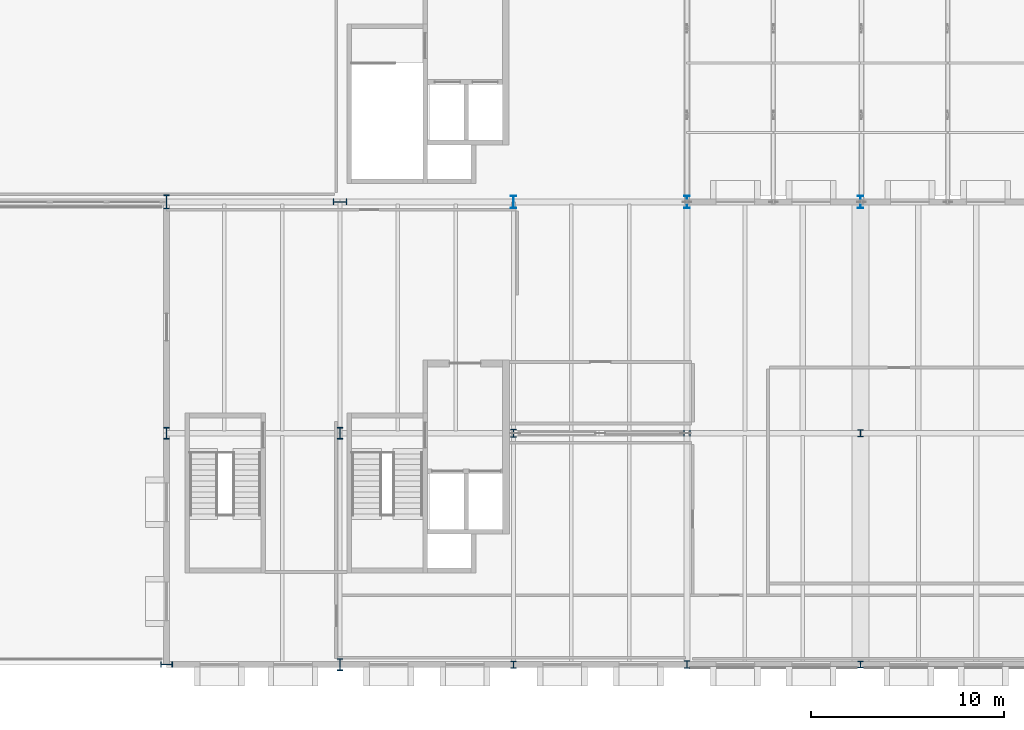
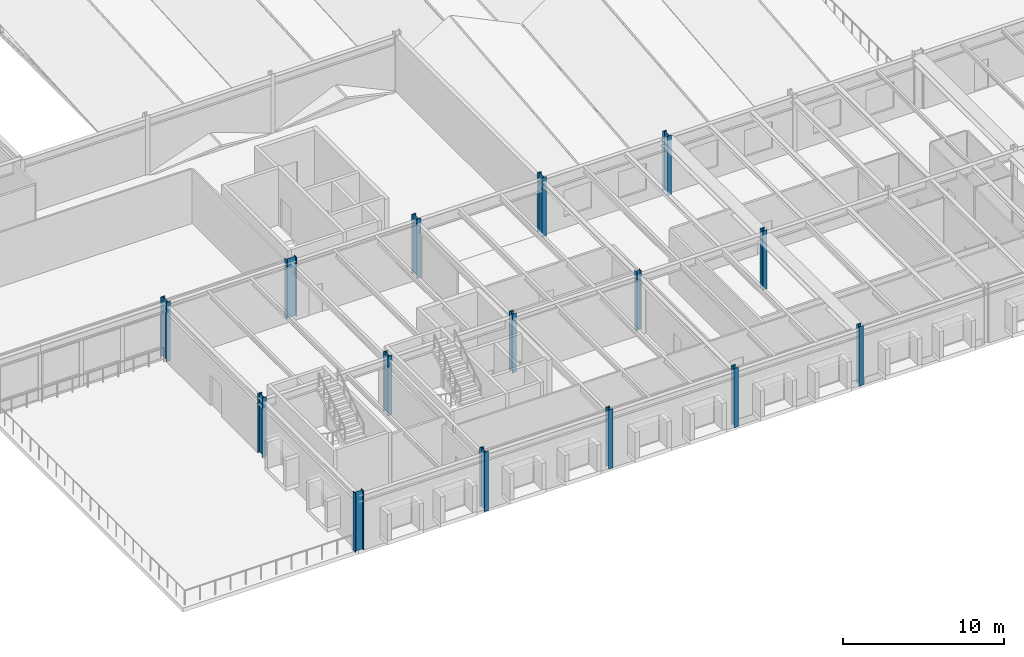
# One storey, part 1 of 142: 15 columns.
"""IFC4 building model written with IfcOpenShell, lengths in metres."""

from ifc_helpers import new_model, si_unit, direction, frame, origin, origin_2d, place, context, subcontext, project, spatial, i_section, extrude, material, material_profile, profile_set, type_object, element, save


model = new_model("IFC4")

# Units and contexts
model_context = context("Model", 3, precision=1e-05, world=origin(), true_north=direction((0.0, 1.0)))
body_context = subcontext(model_context, "Body", "Model", "MODEL_VIEW")
ifc_project = project(units=[si_unit("LENGTHUNIT", "METRE"), si_unit("AREAUNIT", "SQUARE_METRE"), si_unit("VOLUMEUNIT", "CUBIC_METRE"), si_unit("PLANEANGLEUNIT", "RADIAN"), si_unit("MASSUNIT", "GRAM", prefix="KILO")], contexts=[model_context])

# Site, building, storey
site_placement = place(None, origin())
site = spatial("IfcSite", under=ifc_project, at=site_placement, CompositionType="ELEMENT")
building_placement = place(site_placement, origin())
building = spatial("IfcBuilding", under=site, at=building_placement, Name="Montelvaro Courts of Justice", CompositionType="ELEMENT")
storey_placement = place(building_placement, frame((0.0, 0.0, 14.39990234375)))
storey = spatial("IfcBuildingStorey", under=building, at=storey_placement, Name="L03", CompositionType="ELEMENT", Elevation=14.39990234375)

# Columns
ifc_material = material(Name="Steel S355", Category="steel")
ifc_material_profile_1 = material_profile(ifc_material, i_section(OverallWidth=0.300048828125, OverallDepth=0.340087890625, WebThickness=0.011962890625, FlangeThickness=0.021484375, at=origin_2d()), Name="HEB 340")
ifc_profile_set_1 = profile_set([ifc_material_profile_1], Name="Steel S355")
column_type_1 = type_object("IfcColumnType", Name="Col_HEB340", PredefinedType="COLUMN", material=ifc_profile_set_1)
for number, where, z_axis, x_axis, name in (
    (1, (72.0, 12.0, 0.0), (0.0, 0.0, 1.0), (0.0, 1.0, 0.0), "Column C-05 L03 9/B"),
    (2, (81.0, 0.0, 0.0), (0.0, 0.0, 1.0), (1.0, 0.0, 0.0), "Column C-05 L03 10/A"),
):
    element("IfcColumn", number, at=place(storey_placement, frame(where, z_axis=z_axis, x_axis=x_axis)), inside=storey, type_object=column_type_1, Name=name, PredefinedType="COLUMN", context=body_context, shape_type="SweptSolid", body=[
        extrude(i_section(OverallWidth=0.300048828125, OverallDepth=0.340087890625, WebThickness=0.011962890625, FlangeThickness=0.021484375, at=origin_2d()), origin(), (0.0, 0.0, 1.0), 4.5),
    ])
ifc_material_profile_2 = material_profile(ifc_material, i_section(OverallWidth=0.300048828125, OverallDepth=0.360107421875, WebThickness=0.012451171875, FlangeThickness=0.0224609375, at=origin_2d()), Name="HEB 360")
ifc_profile_set_2 = profile_set([ifc_material_profile_2], Name="Steel S355")
column_type_2 = type_object("IfcColumnType", Name="Col_HEB360", PredefinedType="COLUMN", material=ifc_profile_set_2)
for number, where, z_axis, x_axis, name in (
    (3, (63.0, 0.0, 0.0), (0.0, 0.0, 1.0), (1.0, 0.0, 0.0), "Column C-06 L03 8/A"),
    (4, (81.0, 12.0, 0.0), (0.0, 0.0, 1.0), (1.0, 0.0, 0.0), "Column C-06 L03 10/B"),
):
    element("IfcColumn", number, at=place(storey_placement, frame(where, z_axis=z_axis, x_axis=x_axis)), inside=storey, type_object=column_type_2, Name=name, PredefinedType="COLUMN", context=body_context, shape_type="SweptSolid", body=[
        extrude(i_section(OverallWidth=0.300048828125, OverallDepth=0.360107421875, WebThickness=0.012451171875, FlangeThickness=0.0224609375, at=origin_2d()), origin(), (0.0, 0.0, 1.0), 4.5),
    ])
ifc_material_profile_3 = material_profile(ifc_material, i_section(OverallWidth=0.300048828125, OverallDepth=0.39990234375, WebThickness=0.013427734375, FlangeThickness=0.02392578125, at=origin_2d()), Name="HEB 400")
ifc_profile_set_3 = profile_set([ifc_material_profile_3], Name="Steel S355")
column_type_3 = type_object("IfcColumnType", Name="Col_HEB400", PredefinedType="COLUMN", material=ifc_profile_set_3)
for number, where, z_axis, x_axis, name in (
    (5, (63.0, 12.0, 0.0), (0.0, 0.0, 1.0), (1.0, 0.0, 0.0), "Column C-07 L03 8/B"),
    (6, (72.0, 0.0, 0.0), (0.0, 0.0, 1.0), (1.0, 0.0, 0.0), "Column C-07 L03 9/A"),
):
    element("IfcColumn", number, at=place(storey_placement, frame(where, z_axis=z_axis, x_axis=x_axis)), inside=storey, type_object=column_type_3, Name=name, PredefinedType="COLUMN", context=body_context, shape_type="SweptSolid", body=[
        extrude(i_section(OverallWidth=0.300048828125, OverallDepth=0.39990234375, WebThickness=0.013427734375, FlangeThickness=0.02392578125, at=origin_2d()), origin(), (0.0, 0.0, 1.0), 4.5),
    ])
ifc_material_profile_4 = material_profile(ifc_material, i_section(OverallWidth=0.300048828125, OverallDepth=0.64990234375, WebThickness=0.01611328125, FlangeThickness=0.031005859375, at=origin_2d()), Name="HEB 650")
ifc_profile_set_4 = profile_set([ifc_material_profile_4], Name="Steel S355")
column_type_4 = type_object("IfcColumnType", Name="Col_HEB650", PredefinedType="COLUMN", material=ifc_profile_set_4)
for number, where, z_axis, x_axis, name in (
    (7, (63.0, 24.0, 0.0), (0.0, 0.0, 1.0), (1.0, 0.0, 0.0), "Column C-12 L03 8/C"),
    (8, (72.0, 24.0, 0.0), (0.0, 0.0, 1.0), (1.0, 0.0, 0.0), "Column C-12 L03 9/C"),
    (9, (81.0, 24.0, 0.0), (0.0, 0.0, 1.0), (1.0, 0.0, 0.0), "Column C-12 L03 10/C"),
):
    element("IfcColumn", number, at=place(storey_placement, frame(where, z_axis=z_axis, x_axis=x_axis)), inside=storey, type_object=column_type_4, Name=name, PredefinedType="COLUMN", context=body_context, shape_type="SweptSolid", body=[
        extrude(i_section(OverallWidth=0.300048828125, OverallDepth=0.64990234375, WebThickness=0.01611328125, FlangeThickness=0.031005859375, at=origin_2d()), origin(), (0.0, 0.0, 1.0), 4.5),
    ])
ifc_material_profile_5 = material_profile(ifc_material, i_section(OverallWidth=0.304931640625, OverallDepth=0.6201171875, WebThickness=0.02099609375, FlangeThickness=0.0400390625, at=origin_2d()), Name="HEM 600")
ifc_profile_set_5 = profile_set([ifc_material_profile_5], Name="Steel S355")
column_type_5 = type_object("IfcColumnType", Name="Col_HEM600", PredefinedType="COLUMN", material=ifc_profile_set_5)
for number, where, z_axis, x_axis, name in (
    (10, (45.0, 0.0, 0.0), (0.0, 0.0, 1.0), (0.0, 1.0, 0.0), "Column C-15 L03 6/A"),
    (11, (45.0, 12.0, 0.0), (0.0, 0.0, 1.0), (1.0, 0.0, 0.0), "Column C-15 L03 6/B"),
    (12, (54.0, 0.0, 0.0), (0.0, 0.0, 1.0), (1.0, 0.0, 0.0), "Column C-15 L03 7/A"),
    (13, (54.0, 12.0, 0.0), (0.0, 0.0, 1.0), (1.0, 0.0, 0.0), "Column C-15 L03 7/B"),
):
    element("IfcColumn", number, at=place(storey_placement, frame(where, z_axis=z_axis, x_axis=x_axis)), inside=storey, type_object=column_type_5, Name=name, PredefinedType="COLUMN", context=body_context, shape_type="SweptSolid", body=[
        extrude(i_section(OverallWidth=0.304931640625, OverallDepth=0.6201171875, WebThickness=0.02099609375, FlangeThickness=0.0400390625, at=origin_2d()), origin(), (0.0, 0.0, 1.0), 4.5),
    ])
ifc_material_profile_6 = material_profile(ifc_material, i_section(OverallWidth=0.303955078125, OverallDepth=0.716064453125, WebThickness=0.02099609375, FlangeThickness=0.0400390625, at=origin_2d()), Name="HEM 700")
ifc_profile_set_6 = profile_set([ifc_material_profile_6], Name="Steel S355")
column_type_6 = type_object("IfcColumnType", Name="Col_HEM700", PredefinedType="COLUMN", material=ifc_profile_set_6)
for number, where, z_axis, x_axis, name in (
    (14, (45.0, 24.0, 0.0), (0.0, 0.0, 1.0), (1.0, 0.0, 0.0), "Column C-16 L03 6/C"),
    (15, (54.0, 24.0, 0.0), (0.0, 0.0, 1.0), (0.0, 1.0, 0.0), "Column C-16 L03 7/C"),
):
    element("IfcColumn", number, at=place(storey_placement, frame(where, z_axis=z_axis, x_axis=x_axis)), inside=storey, type_object=column_type_6, Name=name, PredefinedType="COLUMN", context=body_context, shape_type="SweptSolid", body=[
        extrude(i_section(OverallWidth=0.303955078125, OverallDepth=0.716064453125, WebThickness=0.02099609375, FlangeThickness=0.0400390625, at=origin_2d()), origin(), (0.0, 0.0, 1.0), 4.5),
    ])

save(model, "model.ifc")
